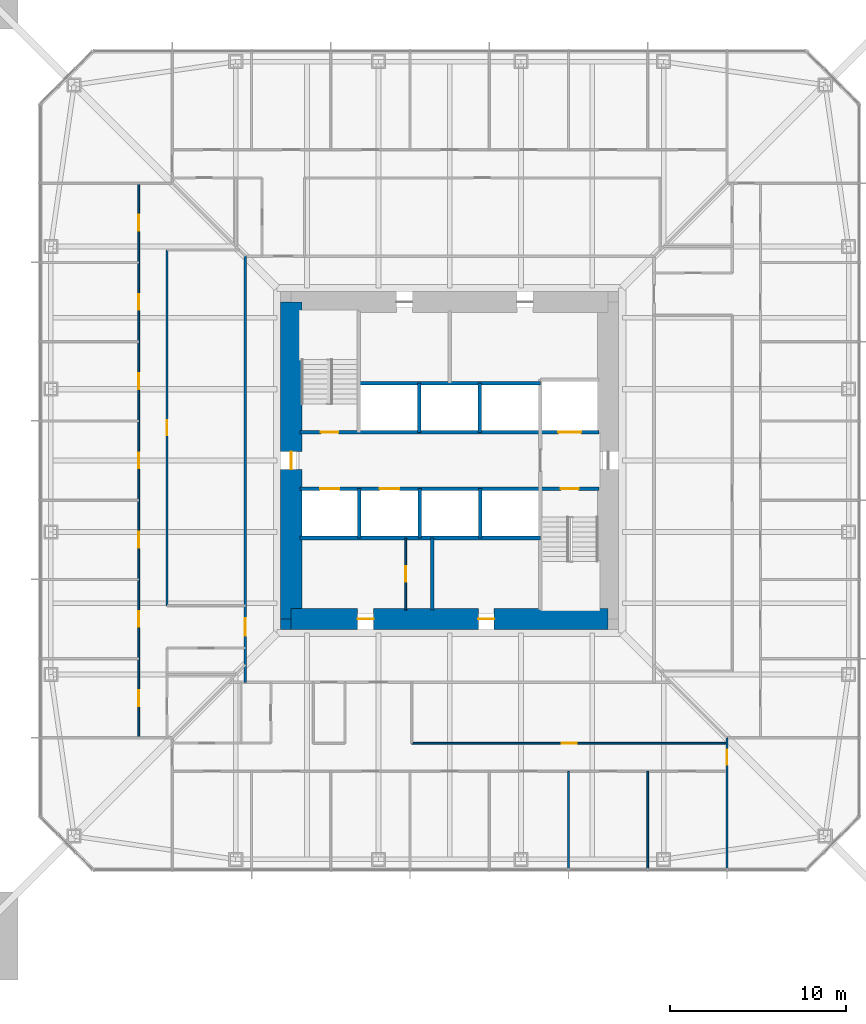
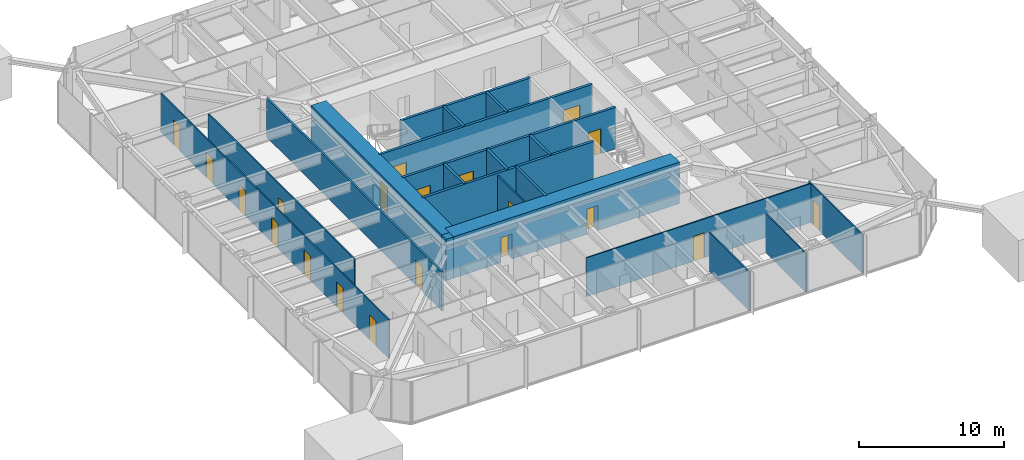
# One storey, part 15 of 26: 21 walls, 20 doors, 20 openings.
"""IFC4 building model written with IfcOpenShell, lengths in metres."""

import ifcopenshell
import ifcopenshell.guid

model = None  # the IFC model being written
_history = None  # IfcOwnerHistory: only IFC2X3 demands one
_inside = {}  # id of a spatial element -> (the spatial element, [elements in it])
_under = {}  # id of a project, library or spatial element -> (it, [spatial elements below it])
_declared = {}  # id of a project -> (the project, [libraries it declares])
_typed = {}  # id of a type object -> (the type object, [elements of that type])
_made_of = {}  # id of a material, layer set ... -> (it, [elements and type objects made of it])


def new_model(schema):
    """Start an empty IFC model of exactly this schema.

    Asked for "IFC4X3", IfcOpenShell would pick the latest addendum, in which some entities
    have other attributes; the version numbers below select the first issue.
    IFC2X3 requires an IfcOwnerHistory on every rooted entity: one is made here for all.
    """
    global model, _history
    if schema == "IFC4X3":
        model = ifcopenshell.file(schema_version=(4, 3, 0, 0))
    else:
        model = ifcopenshell.file(schema=schema)
    _inside.clear()
    _under.clear()
    _declared.clear()
    _typed.clear()
    _made_of.clear()
    _history = None
    if model.schema == "IFC2X3":
        org = make("IfcOrganization", Name="unknown")
        user = make(
            "IfcPersonAndOrganization",
            ThePerson=make("IfcPerson", FamilyName="unknown"),
            TheOrganization=org,
        )
        app = make(
            "IfcApplication",
            ApplicationDeveloper=org,
            Version="unknown",
            ApplicationFullName="unknown",
            ApplicationIdentifier="unknown",
        )
        _history = make(
            "IfcOwnerHistory",
            OwningUser=user,
            OwningApplication=app,
            ChangeAction="ADDED",
            CreationDate=0,
        )
    return model


def make(cls, **values):
    """One entity of the class cls with the attributes given. An attribute that is None is left unset."""
    return model.create_entity(
        cls, **{name: value for name, value in values.items() if value is not None}
    )


def rooted(cls, **values):
    """An entity with a GlobalId (a new one), such as an element, a storey or a relation."""
    return make(cls, GlobalId=ifcopenshell.guid.new(), OwnerHistory=_history, **values)


def si_unit(unit_type, name, prefix=None):
    """IfcSIUnit, for example si_unit("LENGTHUNIT", "METRE", prefix="MILLI")."""
    return make("IfcSIUnit", UnitType=unit_type, Prefix=prefix, Name=name)


def assignment(units):
    """IfcUnitAssignment: the units of a project."""
    return None if units is None else make("IfcUnitAssignment", Units=units)


def point(xyz):
    """IfcCartesianPoint."""
    return None if xyz is None else make("IfcCartesianPoint", Coordinates=xyz)


def direction(xyz):
    """IfcDirection."""
    return None if xyz is None else make("IfcDirection", DirectionRatios=xyz)


def frame(location, z_axis=None, x_axis=None):
    """IfcAxis2Placement3D, a coordinate frame: its origin and axes. An axis left out is left unset."""
    return make(
        "IfcAxis2Placement3D",
        Location=point(location),
        Axis=direction(z_axis),
        RefDirection=direction(x_axis),
    )


def frame_2d(location, x_axis=None):
    """IfcAxis2Placement2D, a coordinate frame in the plane: its origin and x axis."""
    return make(
        "IfcAxis2Placement2D", Location=point(location), RefDirection=direction(x_axis)
    )


def origin():
    """The frame at (0, 0, 0) with its axes left unset."""
    return frame((0.0, 0.0, 0.0))


def place(relative_to, where):
    """IfcLocalPlacement: puts the frame where relative to a parent placement (None: the world)."""
    return make(
        "IfcLocalPlacement", PlacementRelTo=relative_to, RelativePlacement=where
    )


def context(
    kind, dimensions, precision=None, world=None, true_north=None, identifier=None
):
    """IfcGeometricRepresentationContext, for example the 3D "Model" context."""
    return make(
        "IfcGeometricRepresentationContext",
        ContextIdentifier=identifier,
        ContextType=kind,
        CoordinateSpaceDimension=dimensions,
        Precision=precision,
        WorldCoordinateSystem=world,
        TrueNorth=true_north,
    )


def subcontext(parent, identifier, kind, view, scale=None):
    """IfcGeometricRepresentationSubContext, for example "Body" below "Model"."""
    return make(
        "IfcGeometricRepresentationSubContext",
        ContextIdentifier=identifier,
        ContextType=kind,
        ParentContext=parent,
        TargetScale=scale,
        TargetView=view,
    )


def project(units=None, contexts=None):
    """IfcProject with its units and contexts."""
    return rooted(
        "IfcProject",
        Name="project",
        RepresentationContexts=contexts,
        UnitsInContext=assignment(units),
    )


def spatial(cls, under=None, at=None, **own):
    """A site, building, storey or space (cls), placed at a placement, below another one or the project."""
    s = rooted(cls, ObjectPlacement=at, **own)
    if under is not None:
        _under.setdefault(under.id(), (under, []))[1].append(s)
    return s


def profile(cls, at=None, kind="AREA", **sizes):
    """A parametric profile (cls). Its sizes go by their IFC names, for example OverallWidth=200.0."""
    return make(cls, ProfileType=kind, Position=at, **sizes)


def rectangle(**sizes):
    """IfcRectangleProfileDef."""
    return profile("IfcRectangleProfileDef", **sizes)


def extrude(swept, where, along, depth):
    """IfcExtrudedAreaSolid: the profile swept, set in the frame where, extruded along a direction by depth."""
    return make(
        "IfcExtrudedAreaSolid",
        SweptArea=swept,
        Position=where,
        ExtrudedDirection=direction(along),
        Depth=depth,
    )


def shape(context_of_items, identifier, shape_type, items):
    """IfcShapeRepresentation: the items that make up one representation, for example the "Body"."""
    return make(
        "IfcShapeRepresentation",
        ContextOfItems=context_of_items,
        RepresentationIdentifier=identifier,
        RepresentationType=shape_type,
        Items=items,
    )


def material(Name=None, Category=None):
    """IfcMaterial."""
    return make("IfcMaterial", Name=Name, Category=Category)


def layer(
    of_material, thickness, ventilated=None, Name=None, Category=None, Priority=None
):
    """IfcMaterialLayer: one layer of a wall or slab, of a material (None: an air gap)."""
    return make(
        "IfcMaterialLayer",
        Material=of_material,
        LayerThickness=thickness,
        IsVentilated=ventilated,
        Name=Name,
        Category=Category,
        Priority=Priority,
    )


def layer_set(layers, Name=None):
    """IfcMaterialLayerSet."""
    return make("IfcMaterialLayerSet", MaterialLayers=layers, LayerSetName=Name)


def made_of(thing, what):
    """Note that an element or type object is made of a material, layer set ...; save() writes the relation."""
    if what is not None:
        _made_of.setdefault(what.id(), (what, []))[1].append(thing)
    return thing


def type_object(cls, material=None, **own):
    """A type object (cls), such as IfcWallType, which elements share."""
    return made_of(rooted(cls, **own), material)


def element(
    cls,
    number,
    at=None,
    inside=None,
    cuts=None,
    type_object=None,
    material=None,
    context=None,
    identifier="Body",
    shape_type=None,
    held_by="IfcProductDefinitionShape",
    body=None,
    shapes=None,
    **own,
):
    """One element of the class cls, such as IfcWall. Its Tag is "e" and its number.

    at: its placement. inside: the storey or other place that contains it. cuts: it is an
    opening in that element (IfcRelVoidsElement). A single representation is given by context,
    identifier, shape_type and body (its items); several are given by shapes. held_by: the class
    of the entity that holds the representations. save() writes the other relations.
    """
    e = rooted(cls, Tag="e%d" % number, ObjectPlacement=at, **own)
    if body is not None:
        shapes = [shape(context, identifier, shape_type, body)]
    if shapes is not None:
        e.Representation = make(held_by, Representations=shapes)
    if inside is not None:
        _inside.setdefault(inside.id(), (inside, []))[1].append(e)
    if cuts is not None:
        rooted(
            "IfcRelVoidsElement", RelatingBuildingElement=cuts, RelatedOpeningElement=e
        )
    if type_object is not None:
        _typed.setdefault(type_object.id(), (type_object, []))[1].append(e)
    return made_of(e, material)


def fill(opening, filler):
    """IfcRelFillsElement: the door or window that sits in an opening."""
    return rooted(
        "IfcRelFillsElement",
        RelatingOpeningElement=opening,
        RelatedBuildingElement=filler,
    )


def aggregate(whole, parts):
    """IfcRelAggregates: a whole, such as a stair, and the parts it consists of."""
    return rooted("IfcRelAggregates", RelatingObject=whole, RelatedObjects=parts)


def save(model, path):
    """Write the relations noted so far, then the file.

    IfcRelAggregates (storeys below a building ...), IfcRelContainedInSpatialStructure (elements
    in a storey), IfcRelDefinesByType, IfcRelAssociatesMaterial and IfcRelDeclares: one each for
    every whole, place, type object, material and project.
    """
    for whole, parts in _under.values():
        aggregate(whole, parts)
    for where, things in _inside.values():
        rooted(
            "IfcRelContainedInSpatialStructure",
            RelatedElements=things,
            RelatingStructure=where,
        )
    for kind, things in _typed.values():
        rooted("IfcRelDefinesByType", RelatedObjects=things, RelatingType=kind)
    for what, things in _made_of.values():
        rooted("IfcRelAssociatesMaterial", RelatedObjects=things, RelatingMaterial=what)
    for by, libraries in _declared.values():
        rooted("IfcRelDeclares", RelatingContext=by, RelatedDefinitions=libraries)
    model.write(path)


model = new_model("IFC4")

# Units and contexts
model_context = context("Model", 3, precision=1e-05, world=origin(), true_north=direction((0.0, 1.0)))
body_context = subcontext(model_context, "Body", "Model", "MODEL_VIEW")
ifc_project = project(units=[si_unit("LENGTHUNIT", "METRE"), si_unit("AREAUNIT", "SQUARE_METRE"), si_unit("VOLUMEUNIT", "CUBIC_METRE"), si_unit("PLANEANGLEUNIT", "RADIAN"), si_unit("MASSUNIT", "GRAM", prefix="KILO")], contexts=[model_context])

# Site, building, storey
site_placement = place(None, origin())
site = spatial("IfcSite", under=ifc_project, at=site_placement, CompositionType="ELEMENT")
building_placement = place(site_placement, origin())
building = spatial("IfcBuilding", under=site, at=building_placement, Name="Iwan Alto Co-Living Towers", CompositionType="ELEMENT")
storey_placement = place(building_placement, frame((0.0, 0.0, 18.5)))
storey = spatial("IfcBuildingStorey", under=building, at=storey_placement, Name="L04", CompositionType="ELEMENT", Elevation=18.5)

# Wall, opening, door
ifc_material_1 = material(Name="Gypsum board")
ifc_layer_1 = layer(ifc_material_1, 0.02490234375, Name="Board", Category="Finish")
ifc_material_2 = material(Name="Steel ASTM A1003 ST33H cold-formed studs", Category="steel")
ifc_layer_2 = layer(ifc_material_2, 0.10009765625, Name="Studs", Category="Framing")
ifc_layer_3 = layer(ifc_material_1, 0.02490234375, Name="Board", Category="Finish")
ifc_layer_set_1 = layer_set([ifc_layer_1, ifc_layer_2, ifc_layer_3], Name="CORRIDOR WALL 150")
wall_type_1 = type_object("IfcWallType", Name="CORRIDOR WALL 150", PredefinedType="PARTITIONING", material=ifc_layer_set_1)
wall_1_placement = place(storey_placement, frame((-11.60009765625, -12.60009765625, 0.0), z_axis=(0.0, 0.0, 1.0), x_axis=(0.0, 1.0, 0.0)))
wall_1 = element("IfcWall", 1, at=wall_1_placement, inside=storey, type_object=wall_type_1, Name="Partition L04", PredefinedType="PARTITIONING", context=body_context, shape_type="SweptSolid", body=[
    extrude(rectangle(XDim=24.2001953125, YDim=0.14990234375, at=frame_2d((12.10009765625, 0.0))), origin(), (0.0, 0.0, 1.0), 3.27001953125),
])
opening_1_placement = place(wall_1_placement, frame((2.64990234375, 0.0, 0.0)))
opening_1 = element("IfcOpeningElement", 2, at=opening_1_placement, cuts=wall_1, Name="Opening D3", PredefinedType="OPENING", context=body_context, shape_type="SweptSolid", body=[
    extrude(rectangle(XDim=1.0, YDim=2.10009765625, at=frame_2d((0.5, 1.050048828125))), frame((0.0, 0.0849609375, 0.0), z_axis=(0.0, -1.0, 0.0), x_axis=(1.0, 0.0, 0.0)), (0.0, 0.0, 1.0), 0.169921875),
])
ifc_material_3 = material(Name="Steel frame with timber leaf", Category="steel")
door_type_1 = type_object("IfcDoorType", Name="FLAT ENTRANCE DOOR FD30S 1000X2100", OperationType="SINGLE_SWING_LEFT", PredefinedType="DOOR", material=ifc_material_3)
door_1_placement = place(opening_1_placement, origin())
door_1 = element("IfcDoor", 3, at=door_1_placement, inside=storey, type_object=door_type_1, Name="Cluster lounge and shared kitchen door L04", OperationType="SINGLE_SWING_LEFT", OverallHeight=2.10009765625, OverallWidth=1.0, PredefinedType="DOOR", context=body_context, shape_type="SweptSolid", body=[
    extrude(rectangle(XDim=1.0, YDim=2.10009765625, at=frame_2d((0.5, 1.050048828125))), frame((0.0, 0.02490234375, 0.0), z_axis=(0.0, -1.0, 0.0), x_axis=(1.0, 0.0, 0.0)), (0.0, 0.0, 1.0), 0.050048828125),
])
fill(opening_1, door_1)

ifc_layer_4 = layer(ifc_material_1, 0.012451171875, Name="Board", Category="Finish")
ifc_layer_5 = layer(ifc_material_2, 0.074951171875, Name="Studs", Category="Framing")
ifc_layer_6 = layer(ifc_material_1, 0.012451171875, Name="Board", Category="Finish")
ifc_layer_set_2 = layer_set([ifc_layer_4, ifc_layer_5, ifc_layer_6], Name="PARTITION 100")
wall_type_2 = type_object("IfcWallType", Name="PARTITION 100", PredefinedType="PARTITIONING", material=ifc_layer_set_2)
wall_2_placement = place(storey_placement, frame((-2.14990234375, -16.050048828125, 0.0), z_axis=(0.0, 0.0, 1.0), x_axis=(1.0, 0.0, 0.0)))
wall_2 = element("IfcWall", 4, at=wall_2_placement, inside=storey, type_object=wall_type_2, Name="Partition L04", PredefinedType="PARTITIONING", context=body_context, shape_type="SweptSolid", body=[
    extrude(rectangle(XDim=17.89990234375, YDim=0.10009765625, at=frame_2d((8.949951171875, 0.0))), origin(), (0.0, 0.0, 1.0), 3.27001953125),
])
opening_2_placement = place(wall_2_placement, frame((8.52490234375, 0.0, 0.0)))
opening_2 = element("IfcOpeningElement", 5, at=opening_2_placement, cuts=wall_2, Name="Opening D2", PredefinedType="OPENING", context=body_context, shape_type="SweptSolid", body=[
    extrude(rectangle(XDim=0.85009765625, YDim=2.10009765625, at=frame_2d((0.425048828125, 1.050048828125))), frame((0.0, 0.06005859375, 0.0), z_axis=(0.0, -1.0, 0.0), x_axis=(1.0, 0.0, 0.0)), (0.0, 0.0, 1.0), 0.1201171875),
])
ifc_material_4 = material(Name="Timber leaf in steel frame", Category="steel")
door_type_2 = type_object("IfcDoorType", Name="ROOM DOOR 850X2100", OperationType="SINGLE_SWING_LEFT", PredefinedType="DOOR", material=ifc_material_4)
door_2_placement = place(opening_2_placement, frame((0.85009765625, 0.0, 0.0), z_axis=(0.0, 0.0, 1.0), x_axis=(-1.0, 0.0, 0.0)))
door_2 = element("IfcDoor", 6, at=door_2_placement, inside=storey, type_object=door_type_2, Name="Study lounge door L04", OperationType="SINGLE_SWING_LEFT", OverallHeight=2.10009765625, OverallWidth=0.85009765625, PredefinedType="DOOR", context=body_context, shape_type="SweptSolid", body=[
    extrude(rectangle(XDim=0.85009765625, YDim=2.10009765625, at=frame_2d((0.425048828125, 1.050048828125))), frame((0.0, 0.02490234375, 0.0), z_axis=(0.0, -1.0, 0.0), x_axis=(1.0, 0.0, 0.0)), (0.0, 0.0, 1.0), 0.050048828125),
])
fill(opening_2, door_2)

wall_3_placement = place(storey_placement, frame((15.75, -23.18994140625, 0.0), z_axis=(0.0, 0.0, 1.0), x_axis=(0.0, 1.0, 0.0)))
wall_3 = element("IfcWall", 7, at=wall_3_placement, inside=storey, type_object=wall_type_2, Name="Partition L04", PredefinedType="PARTITIONING", context=body_context, shape_type="SweptSolid", body=[
    extrude(rectangle(XDim=7.43994140625, YDim=0.10009765625, at=frame_2d((3.719970703125, 0.0))), origin(), (0.0, 0.0, 1.0), 3.27001953125),
])
opening_3_placement = place(wall_3_placement, frame((5.9150390625, 0.0, 0.0)))
opening_3 = element("IfcOpeningElement", 8, at=opening_3_placement, cuts=wall_3, Name="Opening D2", PredefinedType="OPENING", context=body_context, shape_type="SweptSolid", body=[
    extrude(rectangle(XDim=0.85009765625, YDim=2.10009765625, at=frame_2d((0.425048828125, 1.050048828125))), frame((0.0, 0.06005859375, 0.0), z_axis=(0.0, -1.0, 0.0), x_axis=(1.0, 0.0, 0.0)), (0.0, 0.0, 1.0), 0.1201171875),
])
door_3_placement = place(opening_3_placement, origin())
door_3 = element("IfcDoor", 9, at=door_3_placement, inside=storey, type_object=door_type_2, Name="Shared kitchen and lounge door L04", OperationType="SINGLE_SWING_LEFT", OverallHeight=2.10009765625, OverallWidth=0.85009765625, PredefinedType="DOOR", context=body_context, shape_type="SweptSolid", body=[
    extrude(rectangle(XDim=0.85009765625, YDim=2.10009765625, at=frame_2d((0.425048828125, 1.050048828125))), frame((0.0, 0.02490234375, 0.0), z_axis=(0.0, -1.0, 0.0), x_axis=(1.0, 0.0, 0.0)), (0.0, 0.0, 1.0), 0.050048828125),
])
fill(opening_3, door_3)

# Walls
for number, where, z_axis, x_axis, name in (
    (10, (11.25, -23.18994140625, 0.0), (0.0, 0.0, 1.0), (0.0, 1.0, 0.0), "Partition L04"),
    (11, (6.75, -23.18994140625, 0.0), (0.0, 0.0, 1.0), (0.0, 1.0, 0.0), "Partition L04"),
):
    element("IfcWall", number, at=place(storey_placement, frame(where, z_axis=z_axis, x_axis=x_axis)), inside=storey, type_object=wall_type_2, Name=name, PredefinedType="PARTITIONING", context=body_context, shape_type="SweptSolid", body=[
        extrude(rectangle(XDim=5.5400390625, YDim=0.10009765625, at=frame_2d((2.77001953125, 0.0))), origin(), (0.0, 0.0, 1.0), 3.27001953125),
    ])

# Wall, opening, door
wall_4_placement = place(storey_placement, frame((-2.5, -8.489990234375, 0.0), z_axis=(0.0, 0.0, 1.0), x_axis=(0.0, 1.0, 0.0)))
wall_4 = element("IfcWall", 12, at=wall_4_placement, inside=storey, type_object=wall_type_2, Name="Partition L04", PredefinedType="PARTITIONING", context=body_context, shape_type="SweptSolid", body=[
    extrude(rectangle(XDim=4.090087890625, YDim=0.10009765625, at=frame_2d((2.044921875, 0.0))), origin(), (0.0, 0.0, 1.0), 3.300048828125),
])
opening_4_placement = place(wall_4_placement, frame((1.594970703125, 0.0, 0.0)))
opening_4 = element("IfcOpeningElement", 13, at=opening_4_placement, cuts=wall_4, Name="Opening D16", PredefinedType="OPENING", context=body_context, shape_type="SweptSolid", body=[
    extrude(rectangle(XDim=0.89990234375, YDim=2.10009765625, at=frame_2d((0.449951171875, 1.050048828125))), frame((0.0, 0.06005859375, 0.0), z_axis=(0.0, -1.0, 0.0), x_axis=(1.0, 0.0, 0.0)), (0.0, 0.0, 1.0), 0.1201171875),
])
ifc_material_5 = material(Name="Timber leaf in steel frame", Category="steel")
door_type_3 = type_object("IfcDoorType", Name="CUPBOARD SLIDING DOOR 900X2100", OperationType="SLIDING_TO_LEFT", PredefinedType="DOOR", material=ifc_material_5)
door_4_placement = place(opening_4_placement, origin())
door_4 = element("IfcDoor", 14, at=door_4_placement, inside=storey, type_object=door_type_3, Name="Cleaner's store door L04", OperationType="SLIDING_TO_LEFT", OverallHeight=2.10009765625, OverallWidth=0.89990234375, PredefinedType="DOOR", context=body_context, shape_type="SweptSolid", body=[
    extrude(rectangle(XDim=0.89990234375, YDim=2.10009765625, at=frame_2d((0.449951171875, 1.050048828125))), frame((0.0, 0.02490234375, 0.0), z_axis=(0.0, -1.0, 0.0), x_axis=(1.0, 0.0, 0.0)), (0.0, 0.0, 1.0), 0.050048828125),
])
fill(opening_4, door_4)

wall_5_placement = place(storey_placement, frame((-16.050048828125, -8.25, 0.0), z_axis=(0.0, 0.0, 1.0), x_axis=(0.0, 1.0, 0.0)))
wall_5 = element("IfcWall", 15, at=wall_5_placement, inside=storey, type_object=wall_type_2, Name="Partition L04", PredefinedType="PARTITIONING", context=body_context, shape_type="SweptSolid", body=[
    extrude(rectangle(XDim=20.199951171875, YDim=0.10009765625, at=frame_2d((10.10009765625, 0.0))), origin(), (0.0, 0.0, 1.0), 3.27001953125),
])
opening_5_placement = place(wall_5_placement, frame((9.675048828125, 0.0, 0.0)))
opening_5 = element("IfcOpeningElement", 16, at=opening_5_placement, cuts=wall_5, Name="Opening D2", PredefinedType="OPENING", context=body_context, shape_type="SweptSolid", body=[
    extrude(rectangle(XDim=0.85009765625, YDim=2.10009765625, at=frame_2d((0.425048828125, 1.050048828125))), frame((0.0, 0.06005859375, 0.0), z_axis=(0.0, -1.0, 0.0), x_axis=(1.0, 0.0, 0.0)), (0.0, 0.0, 1.0), 0.1201171875),
])
door_5_placement = place(opening_5_placement, frame((0.85009765625, 0.0, 0.0), z_axis=(0.0, 0.0, 1.0), x_axis=(-1.0, 0.0, 0.0)))
door_5 = element("IfcDoor", 17, at=door_5_placement, inside=storey, type_object=door_type_2, Name="Study lounge door L04", OperationType="SINGLE_SWING_RIGHT", OverallHeight=2.10009765625, OverallWidth=0.85009765625, PredefinedType="DOOR", context=body_context, shape_type="SweptSolid", body=[
    extrude(rectangle(XDim=0.85009765625, YDim=2.10009765625, at=frame_2d((0.425048828125, 1.050048828125))), frame((0.0, 0.02490234375, 0.0), z_axis=(0.0, -1.0, 0.0), x_axis=(1.0, 0.0, 0.0)), (0.0, 0.0, 1.0), 0.050048828125),
])
fill(opening_5, door_5)

# Wall, openings, doors
wall_6_placement = place(storey_placement, frame((-17.64990234375, -15.75, 0.0), z_axis=(0.0, 0.0, 1.0), x_axis=(0.0, 1.0, 0.0)))
wall_6 = element("IfcWall", 18, at=wall_6_placement, inside=storey, type_object=wall_type_2, Name="Partition L04", PredefinedType="PARTITIONING", context=body_context, shape_type="SweptSolid", body=[
    extrude(rectangle(XDim=31.5, YDim=0.10009765625, at=frame_2d((15.75, 0.0))), origin(), (0.0, 0.0, 1.0), 3.27001953125),
])
opening_6_placement = place(wall_6_placement, frame((28.800048828125, 0.0, 0.0)))
opening_6 = element("IfcOpeningElement", 19, at=opening_6_placement, cuts=wall_6, Name="Opening D1", PredefinedType="OPENING", context=body_context, shape_type="SweptSolid", body=[
    extrude(rectangle(XDim=0.89990234375, YDim=2.10009765625, at=frame_2d((0.449951171875, 1.050048828125))), frame((0.0, 0.06005859375, 0.0), z_axis=(0.0, -1.0, 0.0), x_axis=(1.0, 0.0, 0.0)), (0.0, 0.0, 1.0), 0.1201171875),
])
opening_7_placement = place(wall_6_placement, frame((24.300048828125, 0.0, 0.0)))
opening_7 = element("IfcOpeningElement", 20, at=opening_7_placement, cuts=wall_6, Name="Opening D1", PredefinedType="OPENING", context=body_context, shape_type="SweptSolid", body=[
    extrude(rectangle(XDim=0.89990234375, YDim=2.10009765625, at=frame_2d((0.449951171875, 1.050048828125))), frame((0.0, 0.06005859375, 0.0), z_axis=(0.0, -1.0, 0.0), x_axis=(1.0, 0.0, 0.0)), (0.0, 0.0, 1.0), 0.1201171875),
])
opening_8_placement = place(wall_6_placement, frame((19.800048828125, 0.0, 0.0)))
opening_8 = element("IfcOpeningElement", 21, at=opening_8_placement, cuts=wall_6, Name="Opening D1", PredefinedType="OPENING", context=body_context, shape_type="SweptSolid", body=[
    extrude(rectangle(XDim=0.89990234375, YDim=2.10009765625, at=frame_2d((0.449951171875, 1.050048828125))), frame((0.0, 0.06005859375, 0.0), z_axis=(0.0, -1.0, 0.0), x_axis=(1.0, 0.0, 0.0)), (0.0, 0.0, 1.0), 0.1201171875),
])
opening_9_placement = place(wall_6_placement, frame((15.300048828125, 0.0, 0.0)))
opening_9 = element("IfcOpeningElement", 22, at=opening_9_placement, cuts=wall_6, Name="Opening D1", PredefinedType="OPENING", context=body_context, shape_type="SweptSolid", body=[
    extrude(rectangle(XDim=0.89990234375, YDim=2.10009765625, at=frame_2d((0.449951171875, 1.050048828125))), frame((0.0, 0.06005859375, 0.0), z_axis=(0.0, -1.0, 0.0), x_axis=(1.0, 0.0, 0.0)), (0.0, 0.0, 1.0), 0.1201171875),
])
opening_10_placement = place(wall_6_placement, frame((10.800048828125, 0.0, 0.0)))
opening_10 = element("IfcOpeningElement", 23, at=opening_10_placement, cuts=wall_6, Name="Opening D1", PredefinedType="OPENING", context=body_context, shape_type="SweptSolid", body=[
    extrude(rectangle(XDim=0.89990234375, YDim=2.10009765625, at=frame_2d((0.449951171875, 1.050048828125))), frame((0.0, 0.06005859375, 0.0), z_axis=(0.0, -1.0, 0.0), x_axis=(1.0, 0.0, 0.0)), (0.0, 0.0, 1.0), 0.1201171875),
])
opening_11_placement = place(wall_6_placement, frame((6.300048828125, 0.0, 0.0)))
opening_11 = element("IfcOpeningElement", 24, at=opening_11_placement, cuts=wall_6, Name="Opening D1", PredefinedType="OPENING", context=body_context, shape_type="SweptSolid", body=[
    extrude(rectangle(XDim=0.89990234375, YDim=2.10009765625, at=frame_2d((0.449951171875, 1.050048828125))), frame((0.0, 0.06005859375, 0.0), z_axis=(0.0, -1.0, 0.0), x_axis=(1.0, 0.0, 0.0)), (0.0, 0.0, 1.0), 0.1201171875),
])
opening_12_placement = place(wall_6_placement, frame((1.800048828125, 0.0, 0.0)))
opening_12 = element("IfcOpeningElement", 25, at=opening_12_placement, cuts=wall_6, Name="Opening D1", PredefinedType="OPENING", context=body_context, shape_type="SweptSolid", body=[
    extrude(rectangle(XDim=0.89990234375, YDim=2.10009765625, at=frame_2d((0.449951171875, 1.050048828125))), frame((0.0, 0.06005859375, 0.0), z_axis=(0.0, -1.0, 0.0), x_axis=(1.0, 0.0, 0.0)), (0.0, 0.0, 1.0), 0.1201171875),
])
ifc_material_6 = material(Name="Timber leaf in steel frame", Category="steel")
door_type_4 = type_object("IfcDoorType", Name="BEDROOM DOOR 900X2100", OperationType="SINGLE_SWING_LEFT", PredefinedType="DOOR", material=ifc_material_6)
door_6_placement = place(opening_6_placement, frame((0.89990234375, 0.0, 0.0), z_axis=(0.0, 0.0, 1.0), x_axis=(-1.0, 0.0, 0.0)))
door_6 = element("IfcDoor", 26, at=door_6_placement, inside=storey, type_object=door_type_4, Name="Study bedroom door L04", OperationType="SINGLE_SWING_LEFT", OverallHeight=2.10009765625, OverallWidth=0.89990234375, PredefinedType="DOOR", context=body_context, shape_type="SweptSolid", body=[
    extrude(rectangle(XDim=0.89990234375, YDim=2.10009765625, at=frame_2d((0.449951171875, 1.050048828125))), frame((0.0, 0.02490234375, 0.0), z_axis=(0.0, -1.0, 0.0), x_axis=(1.0, 0.0, 0.0)), (0.0, 0.0, 1.0), 0.050048828125),
])
fill(opening_6, door_6)
door_7_placement = place(opening_7_placement, frame((0.89990234375, 0.0, 0.0), z_axis=(0.0, 0.0, 1.0), x_axis=(-1.0, 0.0, 0.0)))
door_7 = element("IfcDoor", 27, at=door_7_placement, inside=storey, type_object=door_type_4, Name="Study bedroom door L04", OperationType="SINGLE_SWING_LEFT", OverallHeight=2.10009765625, OverallWidth=0.89990234375, PredefinedType="DOOR", context=body_context, shape_type="SweptSolid", body=[
    extrude(rectangle(XDim=0.89990234375, YDim=2.10009765625, at=frame_2d((0.449951171875, 1.050048828125))), frame((0.0, 0.02490234375, 0.0), z_axis=(0.0, -1.0, 0.0), x_axis=(1.0, 0.0, 0.0)), (0.0, 0.0, 1.0), 0.050048828125),
])
fill(opening_7, door_7)
door_8_placement = place(opening_8_placement, frame((0.89990234375, 0.0, 0.0), z_axis=(0.0, 0.0, 1.0), x_axis=(-1.0, 0.0, 0.0)))
door_8 = element("IfcDoor", 28, at=door_8_placement, inside=storey, type_object=door_type_4, Name="Study bedroom door L04", OperationType="SINGLE_SWING_LEFT", OverallHeight=2.10009765625, OverallWidth=0.89990234375, PredefinedType="DOOR", context=body_context, shape_type="SweptSolid", body=[
    extrude(rectangle(XDim=0.89990234375, YDim=2.10009765625, at=frame_2d((0.449951171875, 1.050048828125))), frame((0.0, 0.02490234375, 0.0), z_axis=(0.0, -1.0, 0.0), x_axis=(1.0, 0.0, 0.0)), (0.0, 0.0, 1.0), 0.050048828125),
])
fill(opening_8, door_8)
door_9_placement = place(opening_9_placement, frame((0.89990234375, 0.0, 0.0), z_axis=(0.0, 0.0, 1.0), x_axis=(-1.0, 0.0, 0.0)))
door_9 = element("IfcDoor", 29, at=door_9_placement, inside=storey, type_object=door_type_4, Name="Study bedroom door L04", OperationType="SINGLE_SWING_RIGHT", OverallHeight=2.10009765625, OverallWidth=0.89990234375, PredefinedType="DOOR", context=body_context, shape_type="SweptSolid", body=[
    extrude(rectangle(XDim=0.89990234375, YDim=2.10009765625, at=frame_2d((0.449951171875, 1.050048828125))), frame((0.0, 0.02490234375, 0.0), z_axis=(0.0, -1.0, 0.0), x_axis=(1.0, 0.0, 0.0)), (0.0, 0.0, 1.0), 0.050048828125),
])
fill(opening_9, door_9)
door_10_placement = place(opening_10_placement, frame((0.89990234375, 0.0, 0.0), z_axis=(0.0, 0.0, 1.0), x_axis=(-1.0, 0.0, 0.0)))
door_10 = element("IfcDoor", 30, at=door_10_placement, inside=storey, type_object=door_type_4, Name="Study bedroom door L04", OperationType="SINGLE_SWING_RIGHT", OverallHeight=2.10009765625, OverallWidth=0.89990234375, PredefinedType="DOOR", context=body_context, shape_type="SweptSolid", body=[
    extrude(rectangle(XDim=0.89990234375, YDim=2.10009765625, at=frame_2d((0.449951171875, 1.050048828125))), frame((0.0, 0.02490234375, 0.0), z_axis=(0.0, -1.0, 0.0), x_axis=(1.0, 0.0, 0.0)), (0.0, 0.0, 1.0), 0.050048828125),
])
fill(opening_10, door_10)
door_11_placement = place(opening_11_placement, frame((0.89990234375, 0.0, 0.0), z_axis=(0.0, 0.0, 1.0), x_axis=(-1.0, 0.0, 0.0)))
door_11 = element("IfcDoor", 31, at=door_11_placement, inside=storey, type_object=door_type_4, Name="Study bedroom door L04", OperationType="SINGLE_SWING_RIGHT", OverallHeight=2.10009765625, OverallWidth=0.89990234375, PredefinedType="DOOR", context=body_context, shape_type="SweptSolid", body=[
    extrude(rectangle(XDim=0.89990234375, YDim=2.10009765625, at=frame_2d((0.449951171875, 1.050048828125))), frame((0.0, 0.02490234375, 0.0), z_axis=(0.0, -1.0, 0.0), x_axis=(1.0, 0.0, 0.0)), (0.0, 0.0, 1.0), 0.050048828125),
])
fill(opening_11, door_11)
door_12_placement = place(opening_12_placement, frame((0.89990234375, 0.0, 0.0), z_axis=(0.0, 0.0, 1.0), x_axis=(-1.0, 0.0, 0.0)))
door_12 = element("IfcDoor", 32, at=door_12_placement, inside=storey, type_object=door_type_4, Name="Study bedroom door L04", OperationType="SINGLE_SWING_RIGHT", OverallHeight=2.10009765625, OverallWidth=0.89990234375, PredefinedType="DOOR", context=body_context, shape_type="SweptSolid", body=[
    extrude(rectangle(XDim=0.89990234375, YDim=2.10009765625, at=frame_2d((0.449951171875, 1.050048828125))), frame((0.0, 0.02490234375, 0.0), z_axis=(0.0, -1.0, 0.0), x_axis=(1.0, 0.0, 0.0)), (0.0, 0.0, 1.0), 0.050048828125),
])
fill(opening_12, door_12)

# Wall
ifc_material_7 = material(Name="Concrete f'c 70 MPa", Category="concrete")
ifc_layer_7 = layer(ifc_material_7, 0.199951171875)
ifc_layer_set_3 = layer_set([ifc_layer_7], Name="SHAFT WALL 200")
wall_type_3 = type_object("IfcWallType", Name="SHAFT WALL 200", PredefinedType="SOLIDWALL", material=ifc_layer_set_3)
wall_7_placement = place(storey_placement, frame((-8.489990234375, -4.39990234375, 0.0), z_axis=(0.0, 0.0, 1.0), x_axis=(1.0, 0.0, 0.0)))
element("IfcWall", 33, at=wall_7_placement, inside=storey, type_object=wall_type_3, Name="Shaft wall L04", PredefinedType="SOLIDWALL", context=body_context, shape_type="SweptSolid", body=[
    extrude(rectangle(XDim=13.639892578125, YDim=0.199951171875, at=frame_2d((6.81982421875, 0.0))), origin(), (0.0, 0.0, 1.0), 3.5),
])

# Wall, openings, doors
wall_8_placement = place(storey_placement, frame((-8.489990234375, -1.60009765625, 0.0), z_axis=(0.0, 0.0, 1.0), x_axis=(1.0, 0.0, 0.0)))
wall_8 = element("IfcWall", 34, at=wall_8_placement, inside=storey, type_object=wall_type_3, Name="Shaft wall L04", PredefinedType="SOLIDWALL", context=body_context, shape_type="SweptSolid", body=[
    extrude(rectangle(XDim=16.97998046875, YDim=0.199951171875, at=frame_2d((8.489990234375, 0.0))), origin(), (0.0, 0.0, 1.0), 3.5),
])
opening_13_placement = place(wall_8_placement, frame((14.81005859375, 0.0, 0.0)))
opening_13 = element("IfcOpeningElement", 35, at=opening_13_placement, cuts=wall_8, Name="Opening D5", PredefinedType="OPENING", context=body_context, shape_type="SweptSolid", body=[
    extrude(rectangle(XDim=1.0, YDim=2.10009765625, at=frame_2d((0.5, 1.050048828125))), frame((0.0, 0.10986328125, 0.0), z_axis=(0.0, -1.0, 0.0), x_axis=(1.0, 0.0, 0.0)), (0.0, 0.0, 1.0), 0.219970703125),
])
opening_14_placement = place(wall_8_placement, frame((1.133056640625, 0.0, 0.0)))
opening_14 = element("IfcOpeningElement", 36, at=opening_14_placement, cuts=wall_8, Name="Opening LD", PredefinedType="OPENING", context=body_context, shape_type="SweptSolid", body=[
    extrude(rectangle(XDim=1.10009765625, YDim=2.10009765625, at=frame_2d((0.550048828125, 1.050048828125))), frame((0.0, 0.10986328125, 0.0), z_axis=(0.0, -1.0, 0.0), x_axis=(1.0, 0.0, 0.0)), (0.0, 0.0, 1.0), 0.219970703125),
])
opening_15_placement = place(wall_8_placement, frame((4.528076171875, 0.0, 0.0)))
opening_15 = element("IfcOpeningElement", 37, at=opening_15_placement, cuts=wall_8, Name="Opening LD", PredefinedType="OPENING", context=body_context, shape_type="SweptSolid", body=[
    extrude(rectangle(XDim=1.10009765625, YDim=2.10009765625, at=frame_2d((0.550048828125, 1.050048828125))), frame((0.0, 0.10986328125, 0.0), z_axis=(0.0, -1.0, 0.0), x_axis=(1.0, 0.0, 0.0)), (0.0, 0.0, 1.0), 0.219970703125),
])
ifc_material_8 = material(Name="Steel frame with timber leaf", Category="steel")
door_type_5 = type_object("IfcDoorType", Name="LIFT LANDING DOOR 1100X2100", OperationType="DOUBLE_DOOR_SLIDING", PredefinedType="DOOR", material=ifc_material_8)
door_13_placement = place(opening_14_placement, origin())
door_13 = element("IfcDoor", 38, at=door_13_placement, inside=storey, type_object=door_type_5, Name="Lift P1-1 landing door L04", OperationType="DOUBLE_DOOR_SLIDING", OverallHeight=2.10009765625, OverallWidth=1.10009765625, PredefinedType="DOOR", context=body_context, shape_type="SweptSolid", body=[
    extrude(rectangle(XDim=1.10009765625, YDim=2.10009765625, at=frame_2d((0.550048828125, 1.050048828125))), frame((0.0, 0.02490234375, 0.0), z_axis=(0.0, -1.0, 0.0), x_axis=(1.0, 0.0, 0.0)), (0.0, 0.0, 1.0), 0.050048828125),
])
fill(opening_14, door_13)
door_14_placement = place(opening_15_placement, origin())
door_14 = element("IfcDoor", 39, at=door_14_placement, inside=storey, type_object=door_type_5, Name="Lift P1-2 landing door L04", OperationType="DOUBLE_DOOR_SLIDING", OverallHeight=2.10009765625, OverallWidth=1.10009765625, PredefinedType="DOOR", context=body_context, shape_type="SweptSolid", body=[
    extrude(rectangle(XDim=1.10009765625, YDim=2.10009765625, at=frame_2d((0.550048828125, 1.050048828125))), frame((0.0, 0.02490234375, 0.0), z_axis=(0.0, -1.0, 0.0), x_axis=(1.0, 0.0, 0.0)), (0.0, 0.0, 1.0), 0.050048828125),
])
fill(opening_15, door_14)
ifc_material_9 = material(Name="Steel frame with timber leaf", Category="steel")
door_type_6 = type_object("IfcDoorType", Name="STAIR DOOR FD120S 1000X2100", OperationType="SINGLE_SWING_LEFT", PredefinedType="DOOR", material=ifc_material_9)
door_15_placement = place(opening_13_placement, frame((1.0, 0.0, 0.0), z_axis=(0.0, 0.0, 1.0), x_axis=(-1.0, 0.0, 0.0)))
door_15 = element("IfcDoor", 40, at=door_15_placement, inside=storey, type_object=door_type_6, Name="Stair S2 door L04", OperationType="SINGLE_SWING_RIGHT", OverallHeight=2.10009765625, OverallWidth=1.0, PredefinedType="DOOR", context=body_context, shape_type="SweptSolid", body=[
    extrude(rectangle(XDim=1.0, YDim=2.10009765625, at=frame_2d((0.5, 1.050048828125))), frame((0.0, 0.02490234375, 0.0), z_axis=(0.0, -1.0, 0.0), x_axis=(1.0, 0.0, 0.0)), (0.0, 0.0, 1.0), 0.050048828125),
])
fill(opening_13, door_15)

wall_9_placement = place(storey_placement, frame((-8.489990234375, 1.60009765625, 0.0), z_axis=(0.0, 0.0, 1.0), x_axis=(1.0, 0.0, 0.0)))
wall_9 = element("IfcWall", 41, at=wall_9_placement, inside=storey, type_object=wall_type_3, Name="Shaft wall L04", PredefinedType="SOLIDWALL", context=body_context, shape_type="SweptSolid", body=[
    extrude(rectangle(XDim=16.97998046875, YDim=0.199951171875, at=frame_2d((8.489990234375, 0.0))), origin(), (0.0, 0.0, 1.0), 3.5),
])
opening_16_placement = place(wall_9_placement, frame((1.169921875, 0.0, 0.0)))
opening_16 = element("IfcOpeningElement", 42, at=opening_16_placement, cuts=wall_9, Name="Opening D5", PredefinedType="OPENING", context=body_context, shape_type="SweptSolid", body=[
    extrude(rectangle(XDim=1.0, YDim=2.10009765625, at=frame_2d((0.5, 1.050048828125))), frame((0.0, 0.10986328125, 0.0), z_axis=(0.0, -1.0, 0.0), x_axis=(1.0, 0.0, 0.0)), (0.0, 0.0, 1.0), 0.219970703125),
])
opening_17_placement = place(wall_9_placement, frame((14.659912109375, 0.0, 0.0)))
opening_17 = element("IfcOpeningElement", 43, at=opening_17_placement, cuts=wall_9, Name="Opening LD2", PredefinedType="OPENING", context=body_context, shape_type="SweptSolid", body=[
    extrude(rectangle(XDim=1.300048828125, YDim=2.10009765625, at=frame_2d((0.64990234375, 1.050048828125))), frame((0.0, 0.10986328125, 0.0), z_axis=(0.0, -1.0, 0.0), x_axis=(1.0, 0.0, 0.0)), (0.0, 0.0, 1.0), 0.219970703125),
])
ifc_material_10 = material(Name="Steel frame with timber leaf", Category="steel")
door_type_7 = type_object("IfcDoorType", Name="LIFT LANDING DOOR 1300X2100", OperationType="SLIDING_TO_LEFT", PredefinedType="DOOR", material=ifc_material_10)
door_16_placement = place(opening_17_placement, origin())
door_16 = element("IfcDoor", 44, at=door_16_placement, inside=storey, type_object=door_type_7, Name="Lift FL1 landing door L04", OperationType="SLIDING_TO_LEFT", OverallHeight=2.10009765625, OverallWidth=1.300048828125, PredefinedType="DOOR", context=body_context, shape_type="SweptSolid", body=[
    extrude(rectangle(XDim=1.300048828125, YDim=2.10009765625, at=frame_2d((0.64990234375, 1.050048828125))), frame((0.0, 0.02490234375, 0.0), z_axis=(0.0, -1.0, 0.0), x_axis=(1.0, 0.0, 0.0)), (0.0, 0.0, 1.0), 0.050048828125),
])
fill(opening_17, door_16)
door_17_placement = place(opening_16_placement, origin())
door_17 = element("IfcDoor", 45, at=door_17_placement, inside=storey, type_object=door_type_6, Name="Stair S1 door L04", OperationType="SINGLE_SWING_RIGHT", OverallHeight=2.10009765625, OverallWidth=1.0, PredefinedType="DOOR", context=body_context, shape_type="SweptSolid", body=[
    extrude(rectangle(XDim=1.0, YDim=2.10009765625, at=frame_2d((0.5, 1.050048828125))), frame((0.0, 0.02490234375, 0.0), z_axis=(0.0, -1.0, 0.0), x_axis=(1.0, 0.0, 0.0)), (0.0, 0.0, 1.0), 0.050048828125),
])
fill(opening_16, door_17)

# Walls
wall_10_placement = place(storey_placement, frame((-5.14990234375, 4.39990234375, 0.0), z_axis=(0.0, 0.0, 1.0), x_axis=(1.0, 0.0, 0.0)))
element("IfcWall", 46, at=wall_10_placement, inside=storey, type_object=wall_type_3, Name="Shaft wall L04", PredefinedType="SOLIDWALL", context=body_context, shape_type="SweptSolid", body=[
    extrude(rectangle(XDim=10.2998046875, YDim=0.199951171875, at=frame_2d((5.14990234375, 0.0))), origin(), (0.0, 0.0, 1.0), 3.5),
])
for number, where, z_axis, x_axis, name in (
    (47, (1.72509765625, -4.39990234375, 0.0), (0.0, 0.0, 1.0), (0.0, 1.0, 0.0), "Shaft wall L04"),
    (48, (1.717041015625, 1.60009765625, 0.0), (0.0, 0.0, 1.0), (0.0, 1.0, 0.0), "Shaft wall L04"),
):
    element("IfcWall", number, at=place(storey_placement, frame(where, z_axis=z_axis, x_axis=x_axis)), inside=storey, type_object=wall_type_3, Name=name, PredefinedType="SOLIDWALL", context=body_context, shape_type="SweptSolid", body=[
        extrude(rectangle(XDim=2.7998046875, YDim=0.199951171875, at=frame_2d((1.39990234375, 0.0))), origin(), (0.0, 0.0, 1.0), 3.5),
    ])
wall_11_placement = place(storey_placement, frame((-1.0, -8.489990234375, 0.0), z_axis=(0.0, 0.0, 1.0), x_axis=(0.0, 1.0, 0.0)))
element("IfcWall", 49, at=wall_11_placement, inside=storey, type_object=wall_type_3, Name="Shaft wall L04", PredefinedType="SOLIDWALL", context=body_context, shape_type="SweptSolid", body=[
    extrude(rectangle(XDim=4.090087890625, YDim=0.199951171875, at=frame_2d((2.044921875, 0.0))), origin(), (0.0, 0.0, 1.0), 3.5),
])
for number, where, z_axis, x_axis, name in (
    (50, (-1.699951171875, -4.39990234375, 0.0), (0.0, 0.0, 1.0), (0.0, 1.0, 0.0), "Shaft wall L04"),
    (51, (-1.717041015625, 1.60009765625, 0.0), (0.0, 0.0, 1.0), (0.0, 1.0, 0.0), "Shaft wall L04"),
    (52, (-5.125, -4.39990234375, 0.0), (0.0, 0.0, 1.0), (0.0, 1.0, 0.0), "Shaft wall L04"),
):
    element("IfcWall", number, at=place(storey_placement, frame(where, z_axis=z_axis, x_axis=x_axis)), inside=storey, type_object=wall_type_3, Name=name, PredefinedType="SOLIDWALL", context=body_context, shape_type="SweptSolid", body=[
        extrude(rectangle(XDim=2.7998046875, YDim=0.199951171875, at=frame_2d((1.39990234375, 0.0))), origin(), (0.0, 0.0, 1.0), 3.5),
    ])
ifc_material_11 = material(Name="Concrete f'c 70 MPa", Category="concrete")
ifc_layer_8 = layer(ifc_material_11, 0.60009765625)
ifc_layer_set_4 = layer_set([ifc_layer_8], Name="T1 CORE CORNER FILL 600")
wall_type_4 = type_object("IfcWallType", Name="T1 CORE CORNER FILL 600", PredefinedType="SOLIDWALL", material=ifc_layer_set_4)
wall_12_placement = place(storey_placement, frame((-9.60009765625, -9.300048828125, 0.0), z_axis=(0.0, 0.0, 1.0), x_axis=(1.0, 0.0, 0.0)))
element("IfcWall", 53, at=wall_12_placement, inside=storey, type_object=wall_type_4, Name="T1 core corner SW L04", PredefinedType="SOLIDWALL", context=body_context, shape_type="SweptSolid", body=[
    extrude(rectangle(XDim=0.60009765625, YDim=0.60009765625, at=frame_2d((0.300048828125, 0.0))), origin(), (0.0, 0.0, 1.0), 3.5),
])

# Wall, openings, doors
ifc_material_12 = material(Name="Concrete f'c 70 MPa", Category="concrete")
ifc_layer_9 = layer(ifc_material_12, 1.199951171875)
ifc_layer_set_5 = layer_set([ifc_layer_9], Name="T1 CORE WALL 1200")
wall_type_5 = type_object("IfcWallType", Name="T1 CORE WALL 1200", PredefinedType="SHEAR", material=ifc_layer_set_5)
wall_13_placement = place(storey_placement, frame((-9.0, -9.0, 0.0), z_axis=(0.0, 0.0, 1.0), x_axis=(1.0, 0.0, 0.0)))
wall_13 = element("IfcWall", 54, at=wall_13_placement, inside=storey, type_object=wall_type_5, Name="T1 core wall S L04", PredefinedType="SHEAR", context=body_context, shape_type="SweptSolid", body=[
    extrude(rectangle(XDim=18.0, YDim=1.199951171875, at=frame_2d((9.0, 0.0))), origin(), (0.0, 0.0, 1.0), 3.5),
])
opening_18_placement = place(wall_13_placement, frame((3.77490234375, 0.0, 0.0)))
opening_18 = element("IfcOpeningElement", 55, at=opening_18_placement, cuts=wall_13, Name="Opening D8", PredefinedType="OPENING", context=body_context, shape_type="SweptSolid", body=[
    extrude(rectangle(XDim=0.89990234375, YDim=2.10009765625, at=frame_2d((0.449951171875, 1.050048828125))), frame((0.0, 0.60986328125, 0.0), z_axis=(0.0, -1.0, 0.0), x_axis=(1.0, 0.0, 0.0)), (0.0, 0.0, 1.0), 1.219970703125),
])
opening_19_placement = place(wall_13_placement, frame((10.625, 0.0, 0.0)))
opening_19 = element("IfcOpeningElement", 56, at=opening_19_placement, cuts=wall_13, Name="Opening D8", PredefinedType="OPENING", context=body_context, shape_type="SweptSolid", body=[
    extrude(rectangle(XDim=0.89990234375, YDim=2.10009765625, at=frame_2d((0.449951171875, 1.050048828125))), frame((0.0, 0.60986328125, 0.0), z_axis=(0.0, -1.0, 0.0), x_axis=(1.0, 0.0, 0.0)), (0.0, 0.0, 1.0), 1.219970703125),
])
ifc_material_13 = material(Name="Steel frame with timber leaf", Category="steel")
door_type_8 = type_object("IfcDoorType", Name="RISER DOOR FD120 900X2100", OperationType="SINGLE_SWING_LEFT", PredefinedType="DOOR", material=ifc_material_13)
door_18_placement = place(opening_18_placement, origin())
door_18 = element("IfcDoor", 57, at=door_18_placement, inside=storey, type_object=door_type_8, Name="Refuse room core door L04", OperationType="SINGLE_SWING_RIGHT", OverallHeight=2.10009765625, OverallWidth=0.89990234375, PredefinedType="DOOR", context=body_context, shape_type="SweptSolid", body=[
    extrude(rectangle(XDim=0.89990234375, YDim=2.10009765625, at=frame_2d((0.449951171875, 1.050048828125))), frame((0.0, 0.02490234375, 0.0), z_axis=(0.0, -1.0, 0.0), x_axis=(1.0, 0.0, 0.0)), (0.0, 0.0, 1.0), 0.050048828125),
])
fill(opening_18, door_18)
door_19_placement = place(opening_19_placement, origin())
door_19 = element("IfcDoor", 58, at=door_19_placement, inside=storey, type_object=door_type_8, Name="Telecom riser core door L04", OperationType="SINGLE_SWING_LEFT", OverallHeight=2.10009765625, OverallWidth=0.89990234375, PredefinedType="DOOR", context=body_context, shape_type="SweptSolid", body=[
    extrude(rectangle(XDim=0.89990234375, YDim=2.10009765625, at=frame_2d((0.449951171875, 1.050048828125))), frame((0.0, 0.02490234375, 0.0), z_axis=(0.0, -1.0, 0.0), x_axis=(1.0, 0.0, 0.0)), (0.0, 0.0, 1.0), 0.050048828125),
])
fill(opening_19, door_19)

# Wall, opening, door
wall_14_placement = place(storey_placement, frame((-9.0, 9.0, 0.0), z_axis=(0.0, 0.0, 1.0), x_axis=(0.0, -1.0, 0.0)))
wall_14 = element("IfcWall", 59, at=wall_14_placement, inside=storey, type_object=wall_type_5, Name="T1 core wall W L04", PredefinedType="SHEAR", context=body_context, shape_type="SweptSolid", body=[
    extrude(rectangle(XDim=18.0, YDim=1.199951171875, at=frame_2d((9.0, 0.0))), origin(), (0.0, 0.0, 1.0), 3.5),
])
opening_20_placement = place(wall_14_placement, frame((8.5, 0.0, 0.0)))
opening_20 = element("IfcOpeningElement", 60, at=opening_20_placement, cuts=wall_14, Name="Opening D7", PredefinedType="OPENING", context=body_context, shape_type="SweptSolid", body=[
    extrude(rectangle(XDim=1.0, YDim=2.10009765625, at=frame_2d((0.5, 1.050048828125))), frame((0.0, 0.60986328125, 0.0), z_axis=(0.0, -1.0, 0.0), x_axis=(1.0, 0.0, 0.0)), (0.0, 0.0, 1.0), 1.219970703125),
])
ifc_material_14 = material(Name="Steel frame with timber leaf", Category="steel")
door_type_9 = type_object("IfcDoorType", Name="CORE DOOR FD120S 1000X2100", OperationType="SINGLE_SWING_LEFT", PredefinedType="DOOR", material=ifc_material_14)
door_20_placement = place(opening_20_placement, origin())
door_20 = element("IfcDoor", 61, at=door_20_placement, inside=storey, type_object=door_type_9, Name="Lift lobby core door L04", OperationType="SINGLE_SWING_RIGHT", OverallHeight=2.10009765625, OverallWidth=1.0, PredefinedType="DOOR", context=body_context, shape_type="SweptSolid", body=[
    extrude(rectangle(XDim=1.0, YDim=2.10009765625, at=frame_2d((0.5, 1.050048828125))), frame((0.0, 0.02490234375, 0.0), z_axis=(0.0, -1.0, 0.0), x_axis=(1.0, 0.0, 0.0)), (0.0, 0.0, 1.0), 0.050048828125),
])
fill(opening_20, door_20)

save(model, "model.ifc")
